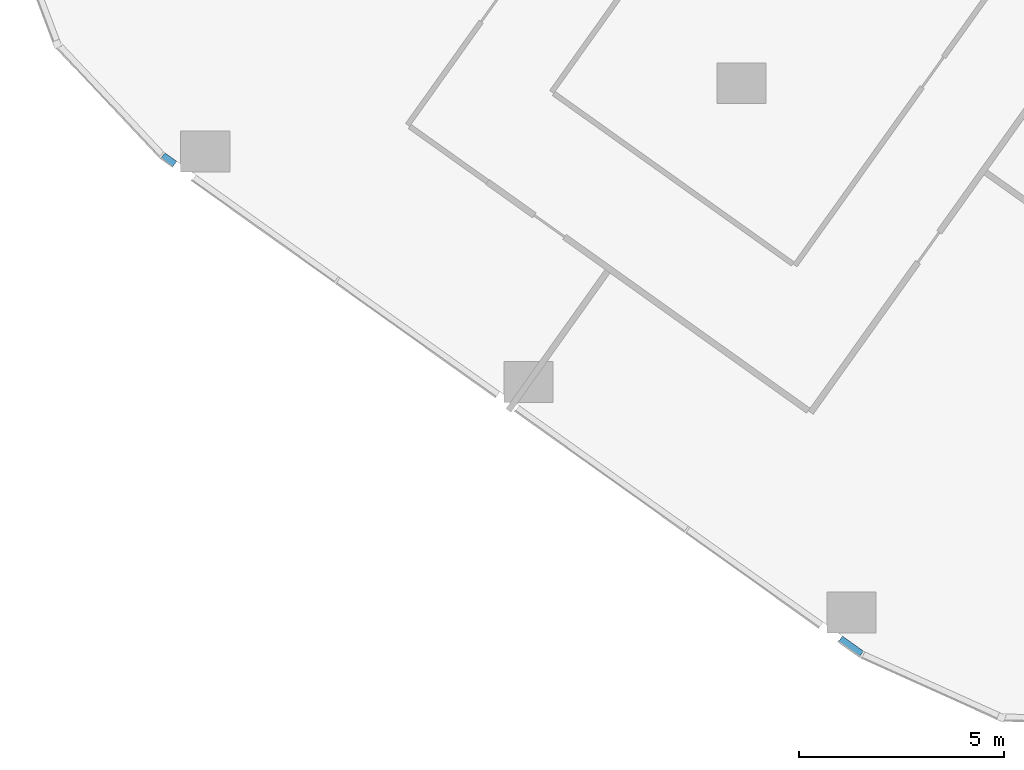
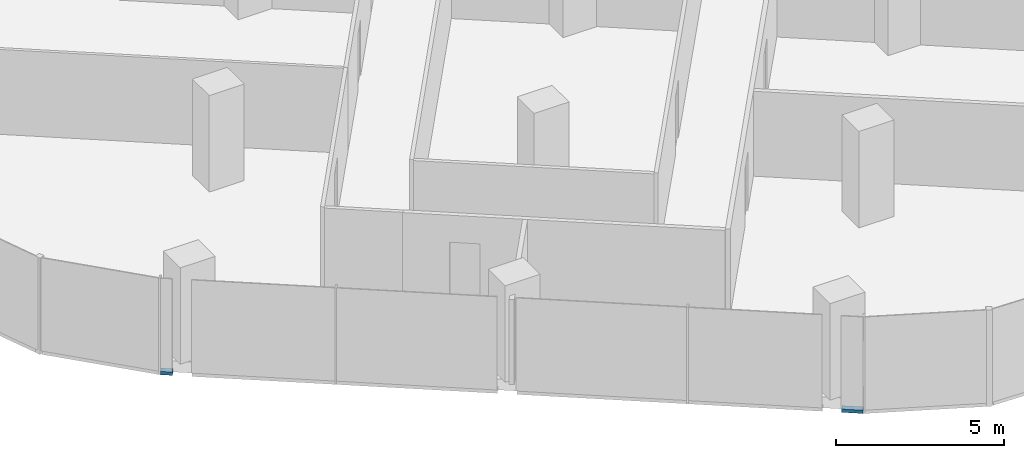
# One storey, part 14 of 31: 2 members, 1 element without a shape of its own.
"""IFC4 building model written with IfcOpenShell, lengths in metres."""

import ifcopenshell
import ifcopenshell.guid

model = None  # the IFC model being written
_history = None  # IfcOwnerHistory: only IFC2X3 demands one
_inside = {}  # id of a spatial element -> (the spatial element, [elements in it])
_under = {}  # id of a project, library or spatial element -> (it, [spatial elements below it])
_declared = {}  # id of a project -> (the project, [libraries it declares])
_typed = {}  # id of a type object -> (the type object, [elements of that type])
_made_of = {}  # id of a material, layer set ... -> (it, [elements and type objects made of it])


def new_model(schema):
    """Start an empty IFC model of exactly this schema.

    Asked for "IFC4X3", IfcOpenShell would pick the latest addendum, in which some entities
    have other attributes; the version numbers below select the first issue.
    IFC2X3 requires an IfcOwnerHistory on every rooted entity: one is made here for all.
    """
    global model, _history
    if schema == "IFC4X3":
        model = ifcopenshell.file(schema_version=(4, 3, 0, 0))
    else:
        model = ifcopenshell.file(schema=schema)
    _inside.clear()
    _under.clear()
    _declared.clear()
    _typed.clear()
    _made_of.clear()
    _history = None
    if model.schema == "IFC2X3":
        org = make("IfcOrganization", Name="unknown")
        user = make(
            "IfcPersonAndOrganization",
            ThePerson=make("IfcPerson", FamilyName="unknown"),
            TheOrganization=org,
        )
        app = make(
            "IfcApplication",
            ApplicationDeveloper=org,
            Version="unknown",
            ApplicationFullName="unknown",
            ApplicationIdentifier="unknown",
        )
        _history = make(
            "IfcOwnerHistory",
            OwningUser=user,
            OwningApplication=app,
            ChangeAction="ADDED",
            CreationDate=0,
        )
    return model


def make(cls, **values):
    """One entity of the class cls with the attributes given. An attribute that is None is left unset."""
    return model.create_entity(
        cls, **{name: value for name, value in values.items() if value is not None}
    )


def rooted(cls, **values):
    """An entity with a GlobalId (a new one), such as an element, a storey or a relation."""
    return make(cls, GlobalId=ifcopenshell.guid.new(), OwnerHistory=_history, **values)


def si_unit(unit_type, name, prefix=None):
    """IfcSIUnit, for example si_unit("LENGTHUNIT", "METRE", prefix="MILLI")."""
    return make("IfcSIUnit", UnitType=unit_type, Prefix=prefix, Name=name)


def assignment(units):
    """IfcUnitAssignment: the units of a project."""
    return None if units is None else make("IfcUnitAssignment", Units=units)


def point(xyz):
    """IfcCartesianPoint."""
    return None if xyz is None else make("IfcCartesianPoint", Coordinates=xyz)


def direction(xyz):
    """IfcDirection."""
    return None if xyz is None else make("IfcDirection", DirectionRatios=xyz)


def frame(location, z_axis=None, x_axis=None):
    """IfcAxis2Placement3D, a coordinate frame: its origin and axes. An axis left out is left unset."""
    return make(
        "IfcAxis2Placement3D",
        Location=point(location),
        Axis=direction(z_axis),
        RefDirection=direction(x_axis),
    )


def frame_2d(location, x_axis=None):
    """IfcAxis2Placement2D, a coordinate frame in the plane: its origin and x axis."""
    return make(
        "IfcAxis2Placement2D", Location=point(location), RefDirection=direction(x_axis)
    )


def origin():
    """The frame at (0, 0, 0) with its axes left unset."""
    return frame((0.0, 0.0, 0.0))


def origin_2d():
    """The frame at (0, 0) in the plane with its x axis left unset."""
    return frame_2d((0.0, 0.0))


def place(relative_to, where):
    """IfcLocalPlacement: puts the frame where relative to a parent placement (None: the world)."""
    return make(
        "IfcLocalPlacement", PlacementRelTo=relative_to, RelativePlacement=where
    )


def context(
    kind, dimensions, precision=None, world=None, true_north=None, identifier=None
):
    """IfcGeometricRepresentationContext, for example the 3D "Model" context."""
    return make(
        "IfcGeometricRepresentationContext",
        ContextIdentifier=identifier,
        ContextType=kind,
        CoordinateSpaceDimension=dimensions,
        Precision=precision,
        WorldCoordinateSystem=world,
        TrueNorth=true_north,
    )


def subcontext(parent, identifier, kind, view, scale=None):
    """IfcGeometricRepresentationSubContext, for example "Body" below "Model"."""
    return make(
        "IfcGeometricRepresentationSubContext",
        ContextIdentifier=identifier,
        ContextType=kind,
        ParentContext=parent,
        TargetScale=scale,
        TargetView=view,
    )


def project(units=None, contexts=None):
    """IfcProject with its units and contexts."""
    return rooted(
        "IfcProject",
        Name="project",
        RepresentationContexts=contexts,
        UnitsInContext=assignment(units),
    )


def spatial(cls, under=None, at=None, **own):
    """A site, building, storey or space (cls), placed at a placement, below another one or the project."""
    s = rooted(cls, ObjectPlacement=at, **own)
    if under is not None:
        _under.setdefault(under.id(), (under, []))[1].append(s)
    return s


def profile(cls, at=None, kind="AREA", **sizes):
    """A parametric profile (cls). Its sizes go by their IFC names, for example OverallWidth=200.0."""
    return make(cls, ProfileType=kind, Position=at, **sizes)


def rectangle(**sizes):
    """IfcRectangleProfileDef."""
    return profile("IfcRectangleProfileDef", **sizes)


def extrude(swept, where, along, depth):
    """IfcExtrudedAreaSolid: the profile swept, set in the frame where, extruded along a direction by depth."""
    return make(
        "IfcExtrudedAreaSolid",
        SweptArea=swept,
        Position=where,
        ExtrudedDirection=direction(along),
        Depth=depth,
    )


def shape(context_of_items, identifier, shape_type, items):
    """IfcShapeRepresentation: the items that make up one representation, for example the "Body"."""
    return make(
        "IfcShapeRepresentation",
        ContextOfItems=context_of_items,
        RepresentationIdentifier=identifier,
        RepresentationType=shape_type,
        Items=items,
    )


def material(Name=None, Category=None):
    """IfcMaterial."""
    return make("IfcMaterial", Name=Name, Category=Category)


def material_profile(
    of_material, cross_section, Name=None, Category=None, Priority=None
):
    """IfcMaterialProfile: a cross section and its material."""
    return make(
        "IfcMaterialProfile",
        Name=Name,
        Material=of_material,
        Profile=cross_section,
        Priority=Priority,
        Category=Category,
    )


def profile_set(profiles, Name=None, composite=None):
    """IfcMaterialProfileSet."""
    return make(
        "IfcMaterialProfileSet",
        Name=Name,
        MaterialProfiles=profiles,
        CompositeProfile=composite,
    )


def made_of(thing, what):
    """Note that an element or type object is made of a material, layer set ...; save() writes the relation."""
    if what is not None:
        _made_of.setdefault(what.id(), (what, []))[1].append(thing)
    return thing


def type_object(cls, material=None, **own):
    """A type object (cls), such as IfcWallType, which elements share."""
    return made_of(rooted(cls, **own), material)


def element(
    cls,
    number,
    at=None,
    inside=None,
    cuts=None,
    type_object=None,
    material=None,
    context=None,
    identifier="Body",
    shape_type=None,
    held_by="IfcProductDefinitionShape",
    body=None,
    shapes=None,
    **own,
):
    """One element of the class cls, such as IfcWall. Its Tag is "e" and its number.

    at: its placement. inside: the storey or other place that contains it. cuts: it is an
    opening in that element (IfcRelVoidsElement). A single representation is given by context,
    identifier, shape_type and body (its items); several are given by shapes. held_by: the class
    of the entity that holds the representations. save() writes the other relations.
    """
    e = rooted(cls, Tag="e%d" % number, ObjectPlacement=at, **own)
    if body is not None:
        shapes = [shape(context, identifier, shape_type, body)]
    if shapes is not None:
        e.Representation = make(held_by, Representations=shapes)
    if inside is not None:
        _inside.setdefault(inside.id(), (inside, []))[1].append(e)
    if cuts is not None:
        rooted(
            "IfcRelVoidsElement", RelatingBuildingElement=cuts, RelatedOpeningElement=e
        )
    if type_object is not None:
        _typed.setdefault(type_object.id(), (type_object, []))[1].append(e)
    return made_of(e, material)


def aggregate(whole, parts):
    """IfcRelAggregates: a whole, such as a stair, and the parts it consists of."""
    return rooted("IfcRelAggregates", RelatingObject=whole, RelatedObjects=parts)


def save(model, path):
    """Write the relations noted so far, then the file.

    IfcRelAggregates (storeys below a building ...), IfcRelContainedInSpatialStructure (elements
    in a storey), IfcRelDefinesByType, IfcRelAssociatesMaterial and IfcRelDeclares: one each for
    every whole, place, type object, material and project.
    """
    for whole, parts in _under.values():
        aggregate(whole, parts)
    for where, things in _inside.values():
        rooted(
            "IfcRelContainedInSpatialStructure",
            RelatedElements=things,
            RelatingStructure=where,
        )
    for kind, things in _typed.values():
        rooted("IfcRelDefinesByType", RelatedObjects=things, RelatingType=kind)
    for what, things in _made_of.values():
        rooted("IfcRelAssociatesMaterial", RelatedObjects=things, RelatingMaterial=what)
    for by, libraries in _declared.values():
        rooted("IfcRelDeclares", RelatingContext=by, RelatedDefinitions=libraries)
    model.write(path)


model = new_model("IFC4")

# Units and contexts
model_context = context("Model", 3, precision=1e-05, world=origin(), true_north=direction((0.0, 1.0)))
body_context = subcontext(model_context, "Body", "Model", "MODEL_VIEW")
ifc_project = project(units=[si_unit("LENGTHUNIT", "METRE"), si_unit("AREAUNIT", "SQUARE_METRE"), si_unit("VOLUMEUNIT", "CUBIC_METRE"), si_unit("PLANEANGLEUNIT", "RADIAN"), si_unit("MASSUNIT", "GRAM", prefix="KILO")], contexts=[model_context])

# Site, building, storey
site_placement = place(None, origin())
site = spatial("IfcSite", under=ifc_project, at=site_placement, CompositionType="ELEMENT")
building_placement = place(site_placement, origin())
building = spatial("IfcBuilding", under=site, at=building_placement, Name="Orlundy Tower", CompositionType="ELEMENT")
storey_placement = place(building_placement, frame((0.0, 0.0, 84.199951171875)))
storey = spatial("IfcBuildingStorey", under=building, at=storey_placement, Name="L20", CompositionType="ELEMENT", Elevation=84.199951171875)

# Curtain wall, members
ifc_material_1 = material(Name="Aluminium bronze anodised", Category="aluminium")
curtain_wall_type = type_object("IfcCurtainWallType", Name="CW1 wall", PredefinedType="NOTDEFINED", material=ifc_material_1)
curtain_wall_placement = place(storey_placement, origin())
curtain_wall = element("IfcCurtainWall", 1, at=curtain_wall_placement, inside=storey, type_object=curtain_wall_type, Name="CW1 run 023", PredefinedType="NOTDEFINED")
ifc_material_2 = material(Name="Aluminium bronze anodised", Category="aluminium")
ifc_material_profile = material_profile(ifc_material_2, rectangle(XDim=0.179931640625, YDim=0.1201171875, at=origin_2d()), Name="CW1 transom 180x120")
ifc_profile_set = profile_set([ifc_material_profile], Name="Aluminium bronze anodised")
member_type = type_object("IfcMemberType", Name="CW1 transom 180x120", PredefinedType="USERDEFINED", material=ifc_profile_set)
member_1_placement = place(storey_placement, frame((-26.6494140625, -55.414794921875, -0.33984375), z_axis=(-0.814281471373, 0.580470227813, 0.0), x_axis=(-0.580470227813, -0.814281471373, 0.0)))
member_1 = element("IfcMember", 2, at=member_1_placement, type_object=member_type, Name="CW1 transom", ObjectType="TRANSOM", PredefinedType="USERDEFINED", context=body_context, shape_type="SweptSolid", body=[
    extrude(rectangle(XDim=0.179931640625, YDim=0.1201171875, at=origin_2d()), origin(), (0.0, 0.0, 1.0), 0.6318359375),
])
member_2_placement = place(storey_placement, frame((-43.430908203125, -43.44580078125, -0.33984375), z_axis=(-0.814290728243, 0.580457242092, 0.0), x_axis=(-0.580457242092, -0.814290728243, 0.0)))
member_2 = element("IfcMember", 3, at=member_2_placement, type_object=member_type, Name="CW1 transom", ObjectType="TRANSOM", PredefinedType="USERDEFINED", context=body_context, shape_type="SweptSolid", body=[
    extrude(rectangle(XDim=0.179931640625, YDim=0.1201171875, at=origin_2d()), origin(), (0.0, 0.0, 1.0), 0.35498046875),
])
aggregate(curtain_wall, [member_1, member_2])

save(model, "model.ifc")
